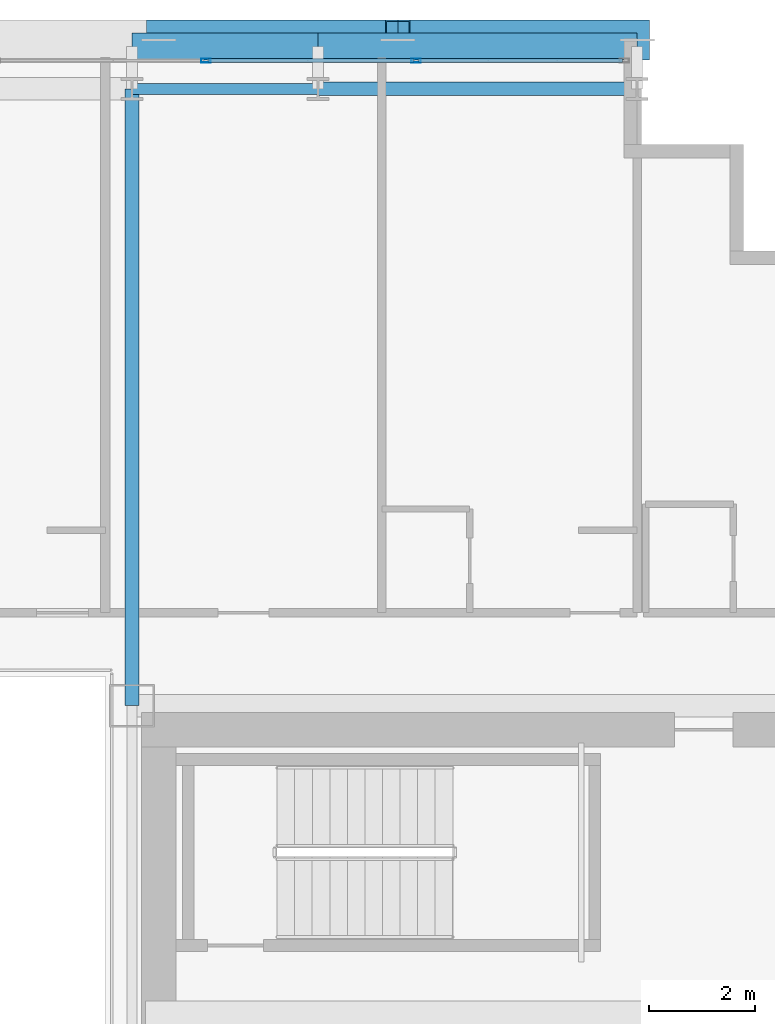
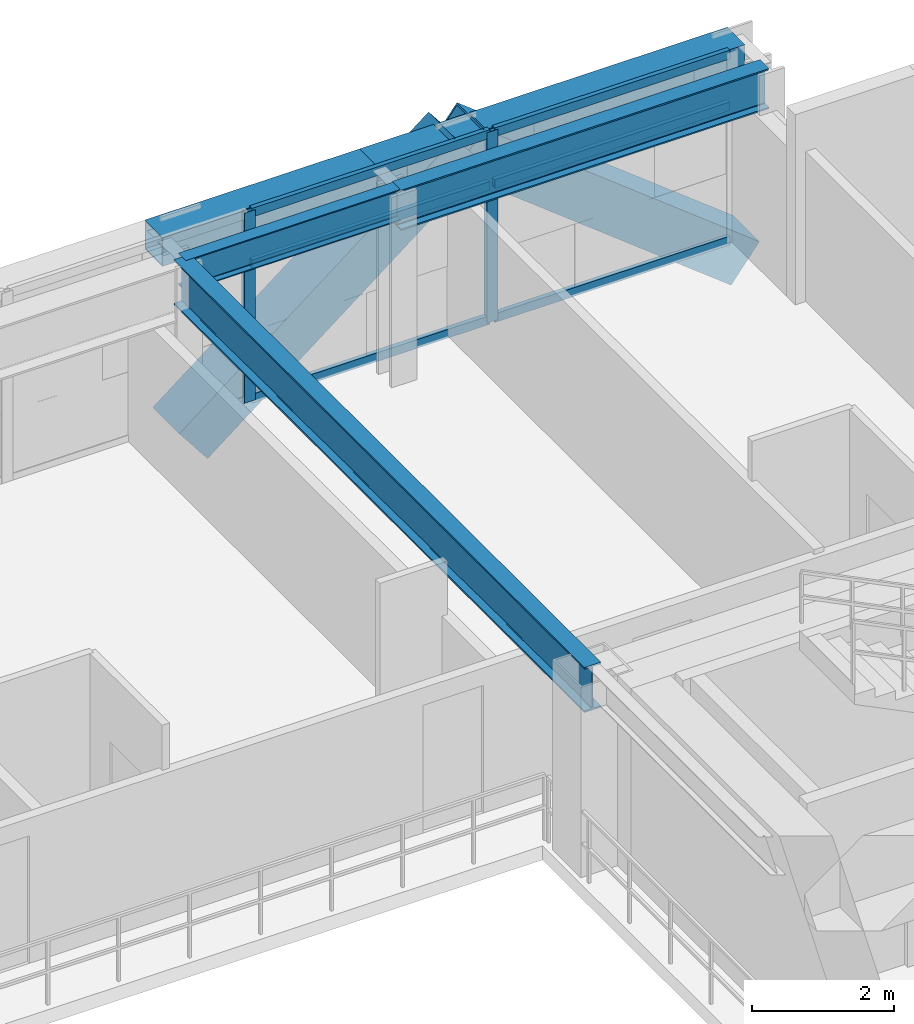
# One storey, part 21 of 36: 10 members, 5 beams, 1 element without a shape of its own.
"""IFC4 building model written with IfcOpenShell, lengths in metres."""

from ifc_helpers import new_model, si_unit, direction, frame, origin, origin_2d, place, context, subcontext, project, spatial, hollow_rectangle, i_section, extrude, source, transform, mapped, material, layer, layer_set, material_profile, profile_set, type_object, element, aggregate, save


model = new_model("IFC4")

# Units and contexts
model_context = context("Model", 3, precision=1e-05, world=origin(), true_north=direction((0.0, 1.0)))
body_context = subcontext(model_context, "Body", "Model", "MODEL_VIEW")
ifc_project = project(units=[si_unit("LENGTHUNIT", "METRE"), si_unit("AREAUNIT", "SQUARE_METRE"), si_unit("VOLUMEUNIT", "CUBIC_METRE"), si_unit("PLANEANGLEUNIT", "RADIAN"), si_unit("MASSUNIT", "GRAM", prefix="KILO")], contexts=[model_context])

# Site, building, storey
site_placement = place(None, origin())
site = spatial("IfcSite", under=ifc_project, at=site_placement, CompositionType="ELEMENT")
building_placement = place(site_placement, origin())
building = spatial("IfcBuilding", under=site, at=building_placement, Name="Ocotamira Hotel", CompositionType="ELEMENT")
storey_placement = place(building_placement, frame((0.0, 0.0, 147.60009765625)))
storey = spatial("IfcBuildingStorey", under=building, at=storey_placement, Name="L37", CompositionType="ELEMENT", Elevation=147.60009765625)

# Beams
ifc_material_1 = material(Name="Steel ASTM A992 Grade 50", Category="steel")
ifc_material_profile_1 = material_profile(ifc_material_1, i_section(OverallWidth=0.256103515625, OverallDepth=0.693115234375, WebThickness=0.014404296875, FlangeThickness=0.023681640625, FilletRadius=0.01611328125, at=origin_2d()), Name="W27X114")
ifc_profile_set_1 = profile_set([ifc_material_profile_1], Name="Steel ASTM A992 Grade 50")
beam_type_1 = type_object("IfcBeamType", Name="BM-PRIM-W27X114", PredefinedType="BEAM", material=ifc_profile_set_1)
shared_shape_1 = source(origin(), body_context, "Body", "SweptSolid", [
    extrude(i_section(OverallWidth=0.256103515625, OverallDepth=0.693115234375, WebThickness=0.014404296875, FlangeThickness=0.023681640625, FilletRadius=0.01611328125, at=origin_2d()), origin(), (0.0, 0.0, 1.0), 6.0),
])
beam_1_placement = place(storey_placement, frame((44.0, 49.050048828125, 2.933349609375), z_axis=(1.0, 0.0, 0.0), x_axis=(0.0, 1.0, 0.0)))
element("IfcBeam", 1, at=beam_1_placement, inside=storey, type_object=beam_type_1, Name="L37 Girder Y49.05 X44-50", PredefinedType="BEAM", context=body_context, shape_type="MappedRepresentation", body=[
    mapped(shared_shape_1, transform((0.0, 0.0, 0.0), scale=1.0)),
])
ifc_material_profile_2 = material_profile(ifc_material_1, i_section(OverallWidth=0.2099609375, OverallDepth=0.537109375, WebThickness=0.010986328125, FlangeThickness=0.017333984375, FilletRadius=0.012939453125, at=origin_2d()), Name="W21X68")
ifc_profile_set_2 = profile_set([ifc_material_profile_2], Name="Steel ASTM A992 Grade 50")
beam_type_2 = type_object("IfcBeamType", Name="BM-SEC-W21X68", PredefinedType="JOIST", material=ifc_profile_set_2)
shared_shape_2 = source(origin(), body_context, "Body", "SweptSolid", [
    extrude(i_section(OverallWidth=0.2099609375, OverallDepth=0.537109375, WebThickness=0.010986328125, FlangeThickness=0.017333984375, FilletRadius=0.012939453125, at=origin_2d()), origin(), (0.0, 0.0, 1.0), 3.5),
])
beam_2_placement = place(storey_placement, frame((40.5, 49.050048828125, 3.011474609375), z_axis=(1.0, 0.0, 0.0), x_axis=(0.0, 1.0, 0.0)))
element("IfcBeam", 2, at=beam_2_placement, inside=storey, type_object=beam_type_2, Name="L37 Girder Y49.05 X40.5-44", PredefinedType="JOIST", context=body_context, shape_type="MappedRepresentation", body=[
    mapped(shared_shape_2, transform((0.0, 0.0, 0.0), scale=1.0)),
])
ifc_material_profile_3 = material_profile(ifc_material_1, i_section(OverallWidth=0.26611328125, OverallDepth=0.779052734375, WebThickness=0.0166015625, FlangeThickness=0.030029296875, FilletRadius=0.01806640625, at=origin_2d()), Name="W30X148")
ifc_profile_set_3 = profile_set([ifc_material_profile_3], Name="Steel ASTM A992 Grade 50")
beam_type_3 = type_object("IfcBeamType", Name="BM-GIRD-W30X148", PredefinedType="BEAM", material=ifc_profile_set_3)
shared_shape_3 = source(origin(), body_context, "Body", "SweptSolid", [
    extrude(i_section(OverallWidth=0.26611328125, OverallDepth=0.779052734375, WebThickness=0.0166015625, FlangeThickness=0.030029296875, FilletRadius=0.01806640625, at=origin_2d()), origin(), (0.0, 0.0, 1.0), 11.60009765625),
])
beam_3_placement = place(storey_placement, frame((40.5, 37.449951171875, 2.890380859375), z_axis=(0.0, 1.0, 0.0), x_axis=(-1.0, 0.0, 0.0)))
element("IfcBeam", 3, at=beam_3_placement, inside=storey, type_object=beam_type_3, Name="L37 Beam X40.5 Y37.45-49.05", PredefinedType="BEAM", context=body_context, shape_type="MappedRepresentation", body=[
    mapped(shared_shape_3, transform((0.0, 0.0, 0.0), scale=1.0)),
])
ifc_material_2 = material(Name="Steel ASTM A500 Grade C", Category="steel")
ifc_material_profile_4 = material_profile(ifc_material_2, hollow_rectangle(XDim=0.5, YDim=0.5, WallThickness=0.02001953125, at=origin_2d()), Name="HSS500X500X20")
ifc_profile_set_4 = profile_set([ifc_material_profile_4], Name="Steel ASTM A500 Grade C")
beam_type_4 = type_object("IfcBeamType", Name="BM-SPAN-HSS500", PredefinedType="USERDEFINED", material=ifc_profile_set_4)
shared_shape_4 = source(origin(), body_context, "Body", "SweptSolid", [
    extrude(hollow_rectangle(XDim=0.5, YDim=0.5, WallThickness=0.02001953125, at=origin_2d()), origin(), (0.0, 0.0, 1.0), 6.0),
])
beam_4_placement = place(storey_placement, frame((44.0, 49.85009765625, 3.02978515625), z_axis=(1.0, 0.0, 0.0), x_axis=(0.0, 1.0, 0.0)))
element("IfcBeam", 4, at=beam_4_placement, inside=storey, type_object=beam_type_4, Name="L37 Edge Spandrel N X44-50", ObjectType="SPANDREL", PredefinedType="USERDEFINED", context=body_context, shape_type="MappedRepresentation", body=[
    mapped(shared_shape_4, transform((0.0, 0.0, 0.0), scale=1.0)),
])
shared_shape_5 = source(origin(), body_context, "Body", "SweptSolid", [
    extrude(hollow_rectangle(XDim=0.5, YDim=0.5, WallThickness=0.02001953125, at=origin_2d()), origin(), (0.0, 0.0, 1.0), 3.5),
])
beam_5_placement = place(storey_placement, frame((40.5, 49.85009765625, 3.02978515625), z_axis=(1.0, 0.0, 0.0), x_axis=(0.0, 1.0, 0.0)))
element("IfcBeam", 5, at=beam_5_placement, inside=storey, type_object=beam_type_4, Name="L37 Edge Spandrel N X40.5-44", ObjectType="SPANDREL", PredefinedType="USERDEFINED", context=body_context, shape_type="MappedRepresentation", body=[
    mapped(shared_shape_5, transform((0.0, 0.0, 0.0), scale=1.0)),
])

# Members
ifc_material_3 = material(Name="Pale-metal coated steel ASTM A913 Grade 65", Category="steel")
ifc_material_profile_5 = material_profile(ifc_material_3, hollow_rectangle(XDim=0.75, YDim=0.75, WallThickness=0.028076171875, at=origin_2d()), Name="BOX750X750X28")
ifc_profile_set_5 = profile_set([ifc_material_profile_5], Name="Pale-metal coated steel ASTM A913 Grade 65")
member_type_1 = type_object("IfcMemberType", Name="MEM-EXO-BOX750", PredefinedType="BRACE", material=ifc_profile_set_5)
shared_shape_6 = source(origin(), body_context, "Body", "SweptSolid", [
    extrude(hollow_rectangle(XDim=0.75, YDim=0.75, WallThickness=0.028076171875, at=origin_2d()), origin(), (0.0, 0.0, 1.0), 5.713134765625),
])
for number, where, z_axis, x_axis, name in (
    (6, (41.0, 49.969970703125, -0.489990234375), (0.787671799809, 0.0, 0.616095070412), (0.0, 1.0, 0.0), "L37 Exoskeleton Diagrid N3.1"),
    (7, (50.0, 49.969970703125, -0.489990234375), (-0.787671799809, 0.0, 0.616095070412), (0.0, -1.0, 0.0), "L37 Exoskeleton Diagrid N3.2"),
):
    element("IfcMember", number, at=place(storey_placement, frame(where, z_axis=z_axis, x_axis=x_axis)), inside=storey, type_object=member_type_1, Name=name, PredefinedType="BRACE", context=body_context, shape_type="MappedRepresentation", body=[
        mapped(shared_shape_6, transform((0.0, 0.0, 0.0), scale=1.0)),
    ])

# Curtain wall, members
ifc_material_4 = material(Name="Anodised pale-metal aluminium and solar glass", Category="aluminium")
ifc_layer = layer(ifc_material_4, 0.179931640625)
ifc_layer_set = layer_set([ifc_layer], Name="Anodised pale-metal aluminium and solar glass")
curtain_wall_type = type_object("IfcCurtainWallType", Name="CW-SYS3-Z2", PredefinedType="NOTDEFINED", material=ifc_layer_set)
curtain_wall_placement = place(storey_placement, origin())
curtain_wall = element("IfcCurtainWall", 8, at=curtain_wall_placement, inside=storey, type_object=curtain_wall_type, Name="L37 Curtain Wall CW-3 CW-L37-N", PredefinedType="NOTDEFINED")
ifc_material_5 = material(Name="Anodised pale-metal aluminium 6063-T6", Category="aluminium")
ifc_material_profile_6 = material_profile(ifc_material_5, hollow_rectangle(XDim=0.074951171875, YDim=0.14990234375, WallThickness=0.006103515625, at=origin_2d()), Name="HSS150X75X6")
ifc_profile_set_6 = profile_set([ifc_material_profile_6], Name="Anodised pale-metal aluminium 6063-T6")
member_type_2 = type_object("IfcMemberType", Name="CWT-150X75", PredefinedType="USERDEFINED", material=ifc_profile_set_6)
shared_shape_7 = source(origin(), body_context, "Body", "SweptSolid", [
    extrude(hollow_rectangle(XDim=0.074951171875, YDim=0.14990234375, WallThickness=0.006103515625, at=origin_2d()), origin(), (0.0, 0.0, 1.0), 3.83544921875),
])
member_1_placement = place(storey_placement, frame((45.884521484375, 49.580078125, 0.037353515625), z_axis=(1.0, 0.0, 0.0), x_axis=(0.0, 1.0, 0.0)))
member_1 = element("IfcMember", 9, at=member_1_placement, type_object=member_type_2, Name="CW-3 transom 9.1", ObjectType="TRANSOM", PredefinedType="USERDEFINED", context=body_context, shape_type="MappedRepresentation", body=[
    mapped(shared_shape_7, transform((0.0, 0.0, 0.0), scale=1.0)),
])
member_2_placement = place(storey_placement, frame((45.884521484375, 49.580078125, 2.349853515625), z_axis=(1.0, 0.0, 0.0), x_axis=(0.0, 1.0, 0.0)))
member_2 = element("IfcMember", 10, at=member_2_placement, type_object=member_type_2, Name="CW-3 transom 9.2", ObjectType="TRANSOM", PredefinedType="USERDEFINED", context=body_context, shape_type="MappedRepresentation", body=[
    mapped(shared_shape_7, transform((0.0, 0.0, 0.0), scale=1.0)),
])
member_3_placement = place(storey_placement, frame((45.884521484375, 49.580078125, 3.242431640625), z_axis=(1.0, 0.0, 0.0), x_axis=(0.0, 1.0, 0.0)))
member_3 = element("IfcMember", 11, at=member_3_placement, type_object=member_type_2, Name="CW-3 transom 9.3", ObjectType="TRANSOM", PredefinedType="USERDEFINED", context=body_context, shape_type="MappedRepresentation", body=[
    mapped(shared_shape_7, transform((0.0, 0.0, 0.0), scale=1.0)),
])
shared_shape_8 = source(origin(), body_context, "Body", "SweptSolid", [
    extrude(hollow_rectangle(XDim=0.074951171875, YDim=0.14990234375, WallThickness=0.006103515625, at=origin_2d()), origin(), (0.0, 0.0, 1.0), 3.87548828125),
])
member_4_placement = place(storey_placement, frame((41.928955078125, 49.580078125, 0.037353515625), z_axis=(1.0, 0.0, 0.0), x_axis=(0.0, 1.0, 0.0)))
member_4 = element("IfcMember", 12, at=member_4_placement, type_object=member_type_2, Name="CW-3 transom 8.1", ObjectType="TRANSOM", PredefinedType="USERDEFINED", context=body_context, shape_type="MappedRepresentation", body=[
    mapped(shared_shape_8, transform((0.0, 0.0, 0.0), scale=1.0)),
])
member_5_placement = place(storey_placement, frame((41.928955078125, 49.580078125, 2.349853515625), z_axis=(1.0, 0.0, 0.0), x_axis=(0.0, 1.0, 0.0)))
member_5 = element("IfcMember", 13, at=member_5_placement, type_object=member_type_2, Name="CW-3 transom 8.2", ObjectType="TRANSOM", PredefinedType="USERDEFINED", context=body_context, shape_type="MappedRepresentation", body=[
    mapped(shared_shape_8, transform((0.0, 0.0, 0.0), scale=1.0)),
])
member_6_placement = place(storey_placement, frame((41.928955078125, 49.580078125, 3.242431640625), z_axis=(1.0, 0.0, 0.0), x_axis=(0.0, 1.0, 0.0)))
member_6 = element("IfcMember", 14, at=member_6_placement, type_object=member_type_2, Name="CW-3 transom 8.3", ObjectType="TRANSOM", PredefinedType="USERDEFINED", context=body_context, shape_type="MappedRepresentation", body=[
    mapped(shared_shape_8, transform((0.0, 0.0, 0.0), scale=1.0)),
])
ifc_material_profile_7 = material_profile(ifc_material_5, hollow_rectangle(XDim=0.080078125, YDim=0.179931640625, WallThickness=0.006103515625, at=origin_2d()), Name="HSS180X80X6")
ifc_profile_set_7 = profile_set([ifc_material_profile_7], Name="Anodised pale-metal aluminium 6063-T6")
member_type_3 = type_object("IfcMemberType", Name="CWM-180X75", PredefinedType="MULLION", material=ifc_profile_set_7)
shared_shape_9 = source(origin(), body_context, "Body", "SweptSolid", [
    extrude(hollow_rectangle(XDim=0.080078125, YDim=0.179931640625, WallThickness=0.006103515625, at=origin_2d()), origin(), (0.0, 0.0, 1.0), 3.27978515625),
])
member_7_placement = place(storey_placement, frame((41.888916015625, 49.580078125, 0.0), z_axis=(0.0, 0.0, 1.0), x_axis=(0.0, 1.0, 0.0)))
member_7 = element("IfcMember", 15, at=member_7_placement, type_object=member_type_3, Name="CW-3 mullion 8", PredefinedType="MULLION", context=body_context, shape_type="MappedRepresentation", body=[
    mapped(shared_shape_9, transform((0.0, 0.0, 0.0), scale=1.0)),
])
member_8_placement = place(storey_placement, frame((45.844482421875, 49.580078125, 0.0), z_axis=(0.0, 0.0, 1.0), x_axis=(0.0, 1.0, 0.0)))
member_8 = element("IfcMember", 16, at=member_8_placement, type_object=member_type_3, Name="CW-3 mullion 9", PredefinedType="MULLION", context=body_context, shape_type="MappedRepresentation", body=[
    mapped(shared_shape_9, transform((0.0, 0.0, 0.0), scale=1.0)),
])
aggregate(curtain_wall, [member_7, member_8, member_4, member_5, member_6, member_1, member_2, member_3])

save(model, "model.ifc")
